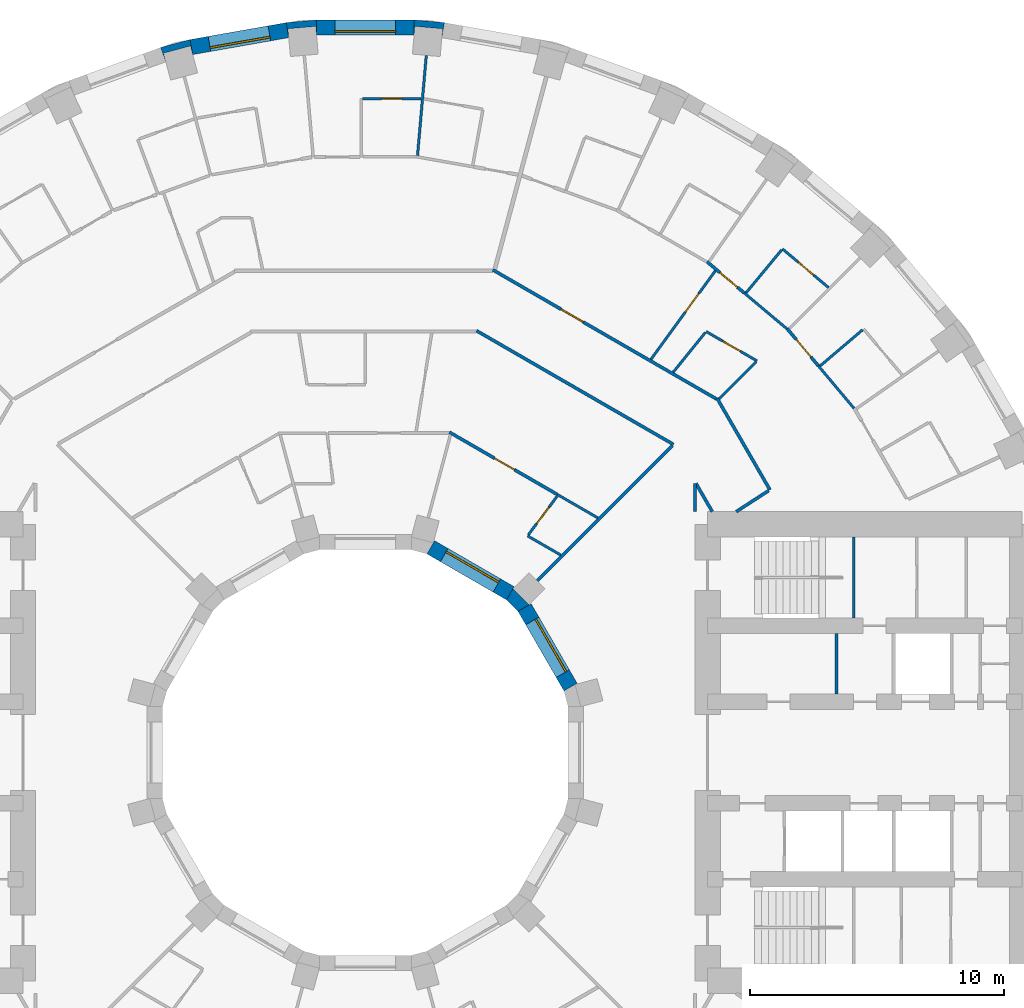
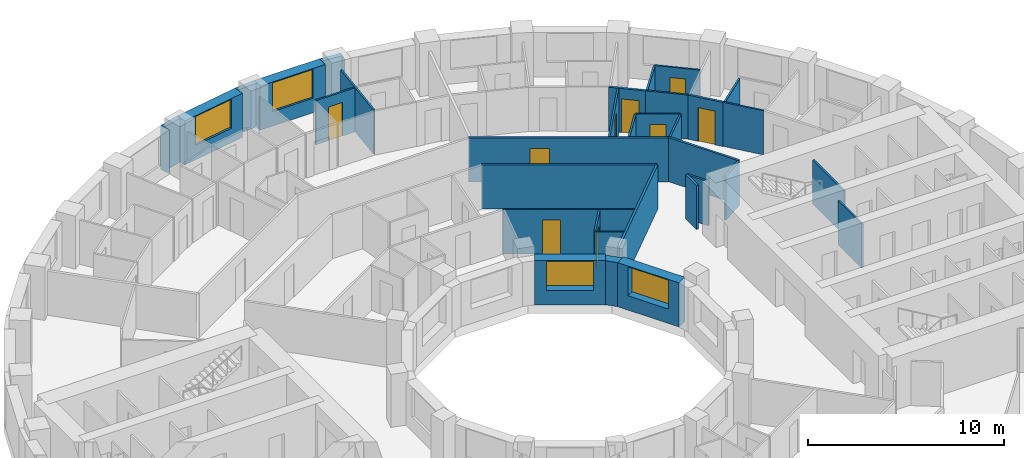
# One storey, part 13 of 16: 34 walls, 9 doors, 4 windows, 13 openings.
"""IFC4 building model written with IfcOpenShell, lengths in metres."""

from ifc_helpers import new_model, si_unit, direction, frame, frame_2d, origin, place, context, subcontext, project, spatial, polyline, rectangle, outline, extrude, material, layer, layer_set, type_object, element, fill, save


model = new_model("IFC4")

# Units and contexts
model_context = context("Model", 3, precision=1e-05, world=origin(), true_north=direction((0.0, 1.0)))
body_context = subcontext(model_context, "Body", "Model", "MODEL_VIEW")
ifc_project = project(units=[si_unit("LENGTHUNIT", "METRE"), si_unit("AREAUNIT", "SQUARE_METRE"), si_unit("VOLUMEUNIT", "CUBIC_METRE"), si_unit("PLANEANGLEUNIT", "RADIAN"), si_unit("MASSUNIT", "GRAM", prefix="KILO")], contexts=[model_context])

# Site, building, storey
site_placement = place(None, origin())
site = spatial("IfcSite", under=ifc_project, at=site_placement, CompositionType="ELEMENT")
building_placement = place(site_placement, origin())
building = spatial("IfcBuilding", under=site, at=building_placement, Name="Saqina Gate Tower", CompositionType="ELEMENT")
storey_placement = place(building_placement, frame((0.0, 0.0, 32.89990234375)))
storey = spatial("IfcBuildingStorey", under=building, at=storey_placement, Name="L08", CompositionType="ELEMENT", Elevation=32.89990234375)

# Walls
ifc_material_1 = material(Name="Brick masonry (red)", Category="masonry")
wall_type_1 = type_object("IfcWallType", Name="BRICK PIER COPING RED", PredefinedType="SOLIDWALL", material=ifc_material_1)
wall_1_placement = place(storey_placement, origin())
element("IfcWall", 1, at=wall_1_placement, inside=storey, type_object=wall_type_1, Name="Pier cap L08 column 9", PredefinedType="SOLIDWALL", context=body_context, shape_type="SweptSolid", body=[
    extrude(outline(polyline([(3.122802734375, 28.78466796875), (1.9228515625, 28.8896484375), (1.9228515625, 28.28955078125), (1.95361328125, 28.638671875), (3.04931640625, 28.54296875), (3.018798828125, 28.19384765625), (3.122802734375, 28.78466796875)])), origin(), (0.0, 0.0, 1.0), 2.75),
])
wall_2_placement = place(storey_placement, origin())
element("IfcWall", 2, at=wall_2_placement, inside=storey, type_object=wall_type_1, Name="Pier cap L08 column 10", PredefinedType="SOLIDWALL", context=body_context, shape_type="SweptSolid", body=[
    extrude(outline(polyline([(-1.9228515625, 28.8896484375), (-3.122802734375, 28.78466796875), (-3.018798828125, 28.19384765625), (-3.04931640625, 28.54296875), (-1.95361328125, 28.638671875), (-1.9228515625, 28.28955078125), (-1.9228515625, 28.8896484375)])), origin(), (0.0, 0.0, 1.0), 2.75),
])
wall_3_placement = place(storey_placement, origin())
element("IfcWall", 3, at=wall_3_placement, inside=storey, type_object=wall_type_1, Name="Pier cap L08 column 11", PredefinedType="SOLIDWALL", context=body_context, shape_type="SweptSolid", body=[
    extrude(outline(polyline([(-6.910400390625, 28.11669921875), (-8.073974609375, 27.80517578125), (-7.86865234375, 27.2412109375), (-7.95947265625, 27.57958984375), (-6.896728515625, 27.864501953125), (-6.80615234375, 27.52587890625), (-6.910400390625, 28.11669921875)])), origin(), (0.0, 0.0, 1.0), 2.75),
])
ifc_material_2 = material(Name="Gypsum board on steel studs", Category="steel")
ifc_layer_1 = layer(ifc_material_2, 0.10009765625)
ifc_layer_set_1 = layer_set([ifc_layer_1], Name="CORE PARTITION")
wall_type_2 = type_object("IfcWallType", Name="CORE PARTITION", PredefinedType="PARTITIONING", material=ifc_layer_set_1)
wall_4_placement = place(storey_placement, frame((18.582763671875, 2.300048828125, 0.0), z_axis=(0.0, 0.0, 1.0), x_axis=(0.0, 1.0, 0.0)))
element("IfcWall", 4, at=wall_4_placement, inside=storey, type_object=wall_type_2, Name="L08-CP-E01", PredefinedType="PARTITIONING", context=body_context, shape_type="SweptSolid", body=[
    extrude(rectangle(XDim=2.39990234375, YDim=0.10009765625, at=frame_2d((1.199951171875, 0.0))), origin(), (0.0, 0.0, 1.0), 2.75),
])

# Wall, opening, window
ifc_material_3 = material(Name="Brick masonry (red)", Category="masonry")
ifc_layer_2 = layer(ifc_material_3, 0.60009765625)
ifc_layer_set_2 = layer_set([ifc_layer_2], Name="FW-BRICK-RED")
wall_type_3 = type_object("IfcWallType", Name="FW-BRICK-RED", PredefinedType="SOLIDWALL", material=ifc_layer_set_2)
wall_5_placement = place(storey_placement, frame((1.9228515625, 28.589599609375, 0.0), z_axis=(0.0, 0.0, 1.0), x_axis=(-1.0, 0.0, 0.0)))
wall_5 = element("IfcWall", 5, at=wall_5_placement, inside=storey, type_object=wall_type_3, Name="Facade wall L08 facet 9", PredefinedType="SOLIDWALL", context=body_context, shape_type="SweptSolid", body=[
    extrude(rectangle(XDim=3.845703125, YDim=0.60009765625, at=frame_2d((1.9228515625, 0.0))), origin(), (0.0, 0.0, 1.0), 2.75),
])
opening_1_placement = place(wall_5_placement, frame((0.722900390625, 0.0, 0.89990234375)))
opening_1 = element("IfcOpeningElement", 6, at=opening_1_placement, cuts=wall_5, Name="Opening G01-W07", PredefinedType="OPENING", context=body_context, shape_type="SweptSolid", body=[
    extrude(rectangle(XDim=2.39990234375, YDim=1.800048828125, at=frame_2d((1.199951171875, 0.89990234375))), frame((0.0, 0.31201171875, 0.0), z_axis=(0.0, -1.0, 0.0), x_axis=(1.0, 0.0, 0.0)), (0.0, 0.0, 1.0), 0.6240234375),
])
ifc_material_4 = material(Name="Aluminium glazing", Category="aluminium")
window_type_1 = type_object("IfcWindowType", Name="WN-A", PartitioningType="SINGLE_PANEL", PredefinedType="WINDOW", material=ifc_material_4)
window_1_placement = place(opening_1_placement, origin())
window_1 = element("IfcWindow", 7, at=window_1_placement, inside=storey, type_object=window_type_1, Name="Window L08 facet 9", OverallHeight=1.800048828125, OverallWidth=2.39990234375, PartitioningType="SINGLE_PANEL", PredefinedType="WINDOW", context=body_context, shape_type="SweptSolid", body=[
    extrude(rectangle(XDim=2.39990234375, YDim=1.800048828125, at=frame_2d((1.199951171875, 0.89990234375))), frame((0.0, 0.179931640625, 0.0), z_axis=(0.0, -1.0, 0.0), x_axis=(1.0, 0.0, 0.0)), (0.0, 0.0, 1.0), 0.06005859375),
])
fill(opening_1, window_1)

wall_6_placement = place(storey_placement, frame((-3.07080078125, 28.4892578125, 0.0), z_axis=(0.0, 0.0, 1.0), x_axis=(-0.984800809218, -0.173687553279, 0.0)))
wall_6 = element("IfcWall", 8, at=wall_6_placement, inside=storey, type_object=wall_type_3, Name="Facade wall L08 facet 10", PredefinedType="SOLIDWALL", context=body_context, shape_type="SweptSolid", body=[
    extrude(rectangle(XDim=3.845703125, YDim=0.60009765625, at=frame_2d((1.9228515625, 0.0))), origin(), (0.0, 0.0, 1.0), 2.75),
])
opening_2_placement = place(wall_6_placement, frame((0.722900390625, 0.0, 0.89990234375)))
opening_2 = element("IfcOpeningElement", 9, at=opening_2_placement, cuts=wall_6, Name="Opening G01-W08", PredefinedType="OPENING", context=body_context, shape_type="SweptSolid", body=[
    extrude(rectangle(XDim=2.39990234375, YDim=1.800048828125, at=frame_2d((1.199951171875, 0.89990234375))), frame((0.0, 0.31201171875, 0.0), z_axis=(0.0, -1.0, 0.0), x_axis=(1.0, 0.0, 0.0)), (0.0, 0.0, 1.0), 0.6240234375),
])
window_2_placement = place(opening_2_placement, origin())
window_2 = element("IfcWindow", 10, at=window_2_placement, inside=storey, type_object=window_type_1, Name="Window L08 facet 10", OverallHeight=1.800048828125, OverallWidth=2.39990234375, PartitioningType="SINGLE_PANEL", PredefinedType="WINDOW", context=body_context, shape_type="SweptSolid", body=[
    extrude(rectangle(XDim=2.39990234375, YDim=1.800048828125, at=frame_2d((1.199951171875, 0.89990234375))), frame((0.0, 0.179931640625, 0.0), z_axis=(0.0, -1.0, 0.0), x_axis=(1.0, 0.0, 0.0)), (0.0, 0.0, 1.0), 0.06005859375),
])
fill(opening_2, window_2)

ifc_material_5 = material(Name="Glazed ceramic tile", Category="ceramic")
ifc_layer_3 = layer(ifc_material_5, 0.60009765625)
ifc_layer_set_3 = layer_set([ifc_layer_3], Name="IW-TILE")
wall_type_4 = type_object("IfcWallType", Name="IW-TILE", PredefinedType="SOLIDWALL", material=ifc_layer_set_3)
wall_7_placement = place(storey_placement, frame((8.09423828125, 2.580322265625, 0.0), z_axis=(0.0, 0.0, 1.0), x_axis=(-0.499992569217, 0.866029693906, 0.0)))
wall_7 = element("IfcWall", 11, at=wall_7_placement, inside=storey, type_object=wall_type_4, Name="Well wall L08 facet 1", PredefinedType="SOLIDWALL", context=body_context, shape_type="SweptSolid", body=[
    extrude(rectangle(XDim=3.625, YDim=0.60009765625, at=frame_2d((1.8125, 0.0))), origin(), (0.0, 0.0, 1.0), 2.75),
])
opening_3_placement = place(wall_7_placement, frame((0.612548828125, 0.0, 0.89990234375)))
opening_3 = element("IfcOpeningElement", 12, at=opening_3_placement, cuts=wall_7, Name="Opening G01-W23", PredefinedType="OPENING", context=body_context, shape_type="SweptSolid", body=[
    extrude(rectangle(XDim=2.39990234375, YDim=1.800048828125, at=frame_2d((1.199951171875, 0.89990234375))), frame((0.0, 0.31201171875, 0.0), z_axis=(0.0, -1.0, 0.0), x_axis=(1.0, 0.0, 0.0)), (0.0, 0.0, 1.0), 0.6240234375),
])
ifc_material_6 = material(Name="Aluminium glazing", Category="aluminium")
window_type_2 = type_object("IfcWindowType", Name="WN-W", PartitioningType="SINGLE_PANEL", PredefinedType="WINDOW", material=ifc_material_6)
window_3_placement = place(opening_3_placement, origin())
window_3 = element("IfcWindow", 13, at=window_3_placement, inside=storey, type_object=window_type_2, Name="Well window L08 facet 1", OverallHeight=1.800048828125, OverallWidth=2.39990234375, PartitioningType="SINGLE_PANEL", PredefinedType="WINDOW", context=body_context, shape_type="SweptSolid", body=[
    extrude(rectangle(XDim=2.39990234375, YDim=1.800048828125, at=frame_2d((1.199951171875, 0.89990234375))), frame((0.0, -0.119873046875, 0.0), z_axis=(0.0, -1.0, 0.0), x_axis=(1.0, 0.0, 0.0)), (0.0, 0.0, 1.0), 0.06005859375),
])
fill(opening_3, window_3)

wall_8_placement = place(storey_placement, frame((5.7197265625, 6.28173828125, 0.0), z_axis=(0.0, 0.0, 1.0), x_axis=(-0.866029693906, 0.499992569217, 0.0)))
wall_8 = element("IfcWall", 14, at=wall_8_placement, inside=storey, type_object=wall_type_4, Name="Well wall L08 facet 2", PredefinedType="SOLIDWALL", context=body_context, shape_type="SweptSolid", body=[
    extrude(rectangle(XDim=3.625, YDim=0.60009765625, at=frame_2d((1.8125, 0.0))), origin(), (0.0, 0.0, 1.0), 2.75),
])
opening_4_placement = place(wall_8_placement, frame((0.612548828125, 0.0, 0.89990234375)))
opening_4 = element("IfcOpeningElement", 15, at=opening_4_placement, cuts=wall_8, Name="Opening G01-W24", PredefinedType="OPENING", context=body_context, shape_type="SweptSolid", body=[
    extrude(rectangle(XDim=2.39990234375, YDim=1.800048828125, at=frame_2d((1.199951171875, 0.89990234375))), frame((0.0, 0.31201171875, 0.0), z_axis=(0.0, -1.0, 0.0), x_axis=(1.0, 0.0, 0.0)), (0.0, 0.0, 1.0), 0.6240234375),
])
window_4_placement = place(opening_4_placement, origin())
window_4 = element("IfcWindow", 16, at=window_4_placement, inside=storey, type_object=window_type_2, Name="Well window L08 facet 2", OverallHeight=1.800048828125, OverallWidth=2.39990234375, PartitioningType="SINGLE_PANEL", PredefinedType="WINDOW", context=body_context, shape_type="SweptSolid", body=[
    extrude(rectangle(XDim=2.39990234375, YDim=1.800048828125, at=frame_2d((1.199951171875, 0.89990234375))), frame((0.0, -0.119873046875, 0.0), z_axis=(0.0, -1.0, 0.0), x_axis=(1.0, 0.0, 0.0)), (0.0, 0.0, 1.0), 0.06005859375),
])
fill(opening_4, window_4)

# Walls
ifc_material_7 = material(Name="Gypsum board on steel studs, 100 mm", Category="steel")
ifc_layer_4 = layer(ifc_material_7, 0.10009765625)
ifc_layer_set_4 = layer_set([ifc_layer_4], Name="PARTITION 100")
wall_type_5 = type_object("IfcWallType", Name="PARTITION 100", PredefinedType="PARTITIONING", material=ifc_layer_set_4)
wall_9_placement = place(storey_placement, frame((17.865478515625, 15.251953125, 0.0), z_axis=(0.0, 0.0, 1.0), x_axis=(0.642711379907, -0.766108401036, 0.0)))
element("IfcWall", 17, at=wall_9_placement, inside=storey, type_object=wall_type_5, Name="PARTITION PW3-29", PredefinedType="PARTITIONING", context=body_context, shape_type="SweptSolid", body=[
    extrude(rectangle(XDim=2.192138671875, YDim=0.10009765625, at=frame_2d((1.09619140625, 0.0))), origin(), (0.0, 0.0, 1.0), 2.75),
])
wall_10_placement = place(storey_placement, frame((14.945556640625, 18.122802734375, 0.0), z_axis=(0.0, 0.0, 1.0), x_axis=(0.765889072534, -0.642972727705, 0.0)))
element("IfcWall", 18, at=wall_10_placement, inside=storey, type_object=wall_type_5, Name="PARTITION PW3-34", PredefinedType="PARTITIONING", context=body_context, shape_type="SweptSolid", body=[
    extrude(rectangle(XDim=2.19287109375, YDim=0.10009765625, at=frame_2d((1.096435546875, 0.0))), origin(), (0.0, 0.0, 1.0), 2.75),
])

# Wall, opening, door
wall_11_placement = place(storey_placement, frame((16.450927734375, 19.862060546875, 0.0), z_axis=(0.0, 0.0, 1.0), x_axis=(0.766132669123, -0.642682451373, 0.0)))
wall_11 = element("IfcWall", 19, at=wall_11_placement, inside=storey, type_object=wall_type_5, Name="PARTITION PW3-35", PredefinedType="PARTITIONING", context=body_context, shape_type="SweptSolid", body=[
    extrude(rectangle(XDim=2.37109375, YDim=0.10009765625, at=frame_2d((1.185546875, 0.0))), origin(), (0.0, 0.0, 1.0), 2.75),
])
opening_5_placement = place(wall_11_placement, frame((0.810546875, 0.0, 0.0)))
opening_5 = element("IfcOpeningElement", 20, at=opening_5_placement, cuts=wall_11, Name="Opening G01-D05", PredefinedType="OPENING", context=body_context, shape_type="SweptSolid", body=[
    extrude(rectangle(XDim=0.800048828125, YDim=2.10009765625, at=frame_2d((0.39990234375, 1.050048828125))), frame((0.0, 0.06201171875, 0.0), z_axis=(0.0, -1.0, 0.0), x_axis=(1.0, 0.0, 0.0)), (0.0, 0.0, 1.0), 0.1240234375),
])
ifc_material_8 = material(Name="Timber door leaf, 800 mm", Category="wood")
door_type_1 = type_object("IfcDoorType", Name="DOOR 800 TIMBER", OperationType="SINGLE_SWING_LEFT", PredefinedType="DOOR", material=ifc_material_8)
door_1_placement = place(opening_5_placement, origin())
door_1 = element("IfcDoor", 21, at=door_1_placement, inside=storey, type_object=door_type_1, Name="DOOR G01-D05", OperationType="SINGLE_SWING_RIGHT", OverallHeight=2.10009765625, OverallWidth=0.800048828125, PredefinedType="DOOR", context=body_context, shape_type="SweptSolid", body=[
    extrude(rectangle(XDim=0.800048828125, YDim=2.10009765625, at=frame_2d((0.39990234375, 1.050048828125))), frame((0.0, 0.02490234375, 0.0), z_axis=(0.0, -1.0, 0.0), x_axis=(1.0, 0.0, 0.0)), (0.0, 0.0, 1.0), 0.050048828125),
])
fill(opening_5, door_1)

# Walls
wall_12_placement = place(storey_placement, frame((6.39697265625, 8.5458984375, 0.0), z_axis=(0.0, 0.0, 1.0), x_axis=(0.866317379693, -0.499493941547, 0.0)))
element("IfcWall", 22, at=wall_12_placement, inside=storey, type_object=wall_type_5, Name="PARTITION PW3-41", PredefinedType="PARTITIONING", context=body_context, shape_type="SweptSolid", body=[
    extrude(rectangle(XDim=1.5107421875, YDim=0.10009765625, at=frame_2d((0.75537109375, 0.0))), origin(), (0.0, 0.0, 1.0), 2.75),
])
wall_13_placement = place(storey_placement, frame((7.560791015625, 10.18408203125, 0.0), z_axis=(0.0, 0.0, 1.0), x_axis=(0.866043361281, -0.499968895414, 0.0)))
element("IfcWall", 23, at=wall_13_placement, inside=storey, type_object=wall_type_5, Name="PARTITION PW3-42", PredefinedType="PARTITIONING", context=body_context, shape_type="SweptSolid", body=[
    extrude(rectangle(XDim=1.85791015625, YDim=0.10009765625, at=frame_2d((0.928955078125, 0.0))), origin(), (0.0, 0.0, 1.0), 2.75),
])

# Wall, opening, door
wall_14_placement = place(storey_placement, frame((13.44091796875, 16.60400390625, 0.0), z_axis=(0.0, 0.0, 1.0), x_axis=(0.865969595378, -0.500096650539, 0.0)))
wall_14 = element("IfcWall", 24, at=wall_14_placement, inside=storey, type_object=wall_type_5, Name="PARTITION PW3-43", PredefinedType="PARTITIONING", context=body_context, shape_type="SweptSolid", body=[
    extrude(rectangle(XDim=2.3154296875, YDim=0.10009765625, at=frame_2d((1.15771484375, 0.0))), origin(), (0.0, 0.0, 1.0), 2.75),
])
opening_6_placement = place(wall_14_placement, frame((0.7578125, 0.0, 0.0)))
opening_6 = element("IfcOpeningElement", 25, at=opening_6_placement, cuts=wall_14, Name="Opening G01-D06", PredefinedType="OPENING", context=body_context, shape_type="SweptSolid", body=[
    extrude(rectangle(XDim=0.800048828125, YDim=2.10009765625, at=frame_2d((0.39990234375, 1.050048828125))), frame((0.0, 0.06201171875, 0.0), z_axis=(0.0, -1.0, 0.0), x_axis=(1.0, 0.0, 0.0)), (0.0, 0.0, 1.0), 0.1240234375),
])
door_2_placement = place(opening_6_placement, origin())
door_2 = element("IfcDoor", 26, at=door_2_placement, inside=storey, type_object=door_type_1, Name="DOOR G01-D06", OperationType="SINGLE_SWING_RIGHT", OverallHeight=2.10009765625, OverallWidth=0.800048828125, PredefinedType="DOOR", context=body_context, shape_type="SweptSolid", body=[
    extrude(rectangle(XDim=0.800048828125, YDim=2.10009765625, at=frame_2d((0.39990234375, 1.050048828125))), frame((0.0, 0.02490234375, 0.0), z_axis=(0.0, -1.0, 0.0), x_axis=(1.0, 0.0, 0.0)), (0.0, 0.0, 1.0), 0.050048828125),
])
fill(opening_6, door_2)

wall_15_placement = place(storey_placement, frame((-0.114990234375, 25.7900390625, 0.0), z_axis=(0.0, 0.0, 1.0), x_axis=(1.0, 0.0, 0.0)))
wall_15 = element("IfcWall", 27, at=wall_15_placement, inside=storey, type_object=wall_type_5, Name="PARTITION PW3-66", PredefinedType="PARTITIONING", context=body_context, shape_type="SweptSolid", body=[
    extrude(rectangle(XDim=2.321044921875, YDim=0.10009765625, at=frame_2d((1.16064453125, 0.0))), origin(), (0.0, 0.0, 1.0), 2.75),
])
opening_7_placement = place(wall_15_placement, frame((0.760498046875, 0.0, 0.0)))
opening_7 = element("IfcOpeningElement", 28, at=opening_7_placement, cuts=wall_15, Name="Opening G01-D20", PredefinedType="OPENING", context=body_context, shape_type="SweptSolid", body=[
    extrude(rectangle(XDim=0.800048828125, YDim=2.10009765625, at=frame_2d((0.39990234375, 1.050048828125))), frame((0.0, 0.06201171875, 0.0), z_axis=(0.0, -1.0, 0.0), x_axis=(1.0, 0.0, 0.0)), (0.0, 0.0, 1.0), 0.1240234375),
])
door_3_placement = place(opening_7_placement, origin())
door_3 = element("IfcDoor", 29, at=door_3_placement, inside=storey, type_object=door_type_1, Name="DOOR G01-D20", OperationType="SINGLE_SWING_LEFT", OverallHeight=2.10009765625, OverallWidth=0.800048828125, PredefinedType="DOOR", context=body_context, shape_type="SweptSolid", body=[
    extrude(rectangle(XDim=0.800048828125, YDim=2.10009765625, at=frame_2d((0.39990234375, 1.050048828125))), frame((0.0, 0.02490234375, 0.0), z_axis=(0.0, -1.0, 0.0), x_axis=(1.0, 0.0, 0.0)), (0.0, 0.0, 1.0), 0.050048828125),
])
fill(opening_7, door_3)

# Walls
wall_16_placement = place(storey_placement, frame((17.93603515625, 15.246337890625, 0.0), z_axis=(0.0, 0.0, 1.0), x_axis=(0.76174213422, 0.647880329192, 0.0)))
element("IfcWall", 30, at=wall_16_placement, inside=storey, type_object=wall_type_5, Name="PARTITION PW3-89", PredefinedType="PARTITIONING", context=body_context, shape_type="SweptSolid", body=[
    extrude(rectangle(XDim=2.199951171875, YDim=0.10009765625, at=frame_2d((1.10009765625, 0.0))), origin(), (0.0, 0.0, 1.0), 2.75),
])
wall_17_placement = place(storey_placement, frame((13.953125, 13.953125, 0.0), z_axis=(0.0, 0.0, 1.0), x_axis=(0.707106781187, 0.707106781187, 0.0)))
element("IfcWall", 31, at=wall_17_placement, inside=storey, type_object=wall_type_5, Name="PARTITION PW3-90", PredefinedType="PARTITIONING", context=body_context, shape_type="SweptSolid", body=[
    extrude(rectangle(XDim=2.061279296875, YDim=0.10009765625, at=frame_2d((1.03076171875, 0.0))), origin(), (0.0, 0.0, 1.0), 2.75),
])
wall_18_placement = place(storey_placement, frame((15.015869140625, 18.12939453125, 0.0), z_axis=(0.0, 0.0, 1.0), x_axis=(0.63792197303, 0.770101003976, 0.0)))
element("IfcWall", 32, at=wall_18_placement, inside=storey, type_object=wall_type_5, Name="PARTITION PW3-94", PredefinedType="PARTITIONING", context=body_context, shape_type="SweptSolid", body=[
    extrude(rectangle(XDim=2.199951171875, YDim=0.10009765625, at=frame_2d((1.10009765625, 0.0))), origin(), (0.0, 0.0, 1.0), 2.75),
])
wall_19_placement = place(storey_placement, frame((12.142578125, 15.0, 0.0), z_axis=(0.0, 0.0, 1.0), x_axis=(0.629135445443, 0.777295691026, 0.0)))
element("IfcWall", 33, at=wall_19_placement, inside=storey, type_object=wall_type_5, Name="PARTITION PW3-95", PredefinedType="PARTITIONING", context=body_context, shape_type="SweptSolid", body=[
    extrude(rectangle(XDim=2.013671875, YDim=0.10009765625, at=frame_2d((1.0068359375, 0.0))), origin(), (0.0, 0.0, 1.0), 2.75),
])

# Wall, opening, door
wall_20_placement = place(storey_placement, frame((6.427001953125, 8.5859375, 0.0), z_axis=(0.0, 0.0, 1.0), x_axis=(0.599137140235, 0.800646418334, 0.0)))
wall_20 = element("IfcWall", 34, at=wall_20_placement, inside=storey, type_object=wall_type_5, Name="PARTITION PW3-97", PredefinedType="PARTITIONING", context=body_context, shape_type="SweptSolid", body=[
    extrude(rectangle(XDim=1.902099609375, YDim=0.10009765625, at=frame_2d((0.951171875, 0.0))), origin(), (0.0, 0.0, 1.0), 2.75),
])
opening_8_placement = place(wall_20_placement, frame((0.557373046875, 0.0, 0.0)))
opening_8 = element("IfcOpeningElement", 35, at=opening_8_placement, cuts=wall_20, Name="Opening G01-D08", PredefinedType="OPENING", context=body_context, shape_type="SweptSolid", body=[
    extrude(rectangle(XDim=0.800048828125, YDim=2.10009765625, at=frame_2d((0.39990234375, 1.050048828125))), frame((0.0, 0.06201171875, 0.0), z_axis=(0.0, -1.0, 0.0), x_axis=(1.0, 0.0, 0.0)), (0.0, 0.0, 1.0), 0.1240234375),
])
door_4_placement = place(opening_8_placement, origin())
door_4 = element("IfcDoor", 36, at=door_4_placement, inside=storey, type_object=door_type_1, Name="DOOR G01-D08", OperationType="SINGLE_SWING_RIGHT", OverallHeight=2.10009765625, OverallWidth=0.800048828125, PredefinedType="DOOR", context=body_context, shape_type="SweptSolid", body=[
    extrude(rectangle(XDim=0.800048828125, YDim=2.10009765625, at=frame_2d((0.39990234375, 1.050048828125))), frame((0.0, 0.02490234375, 0.0), z_axis=(0.0, -1.0, 0.0), x_axis=(1.0, 0.0, 0.0)), (0.0, 0.0, 1.0), 0.050048828125),
])
fill(opening_8, door_4)

wall_21_placement = place(storey_placement, frame((11.265869140625, 15.5068359375, 0.0), z_axis=(0.0, 0.0, 1.0), x_axis=(0.587926223092, 0.808914554326, 0.0)))
wall_21 = element("IfcWall", 37, at=wall_21_placement, inside=storey, type_object=wall_type_5, Name="PARTITION PW3-98", PredefinedType="PARTITIONING", context=body_context, shape_type="SweptSolid", body=[
    extrude(rectangle(XDim=4.3173828125, YDim=0.10009765625, at=frame_2d((2.15869140625, 0.0))), origin(), (0.0, 0.0, 1.0), 2.75),
])
opening_9_placement = place(wall_21_placement, frame((2.30859375, 0.0, 0.0)))
opening_9 = element("IfcOpeningElement", 38, at=opening_9_placement, cuts=wall_21, Name="Opening G01-D09", PredefinedType="OPENING", context=body_context, shape_type="SweptSolid", body=[
    extrude(rectangle(XDim=0.89990234375, YDim=2.10009765625, at=frame_2d((0.449951171875, 1.050048828125))), frame((0.0, 0.06201171875, 0.0), z_axis=(0.0, -1.0, 0.0), x_axis=(1.0, 0.0, 0.0)), (0.0, 0.0, 1.0), 0.1240234375),
])
ifc_material_9 = material(Name="Timber door leaf, 900 mm", Category="wood")
door_type_2 = type_object("IfcDoorType", Name="DOOR 900 TIMBER", OperationType="SINGLE_SWING_LEFT", PredefinedType="DOOR", material=ifc_material_9)
door_5_placement = place(opening_9_placement, frame((0.89990234375, 0.0, 0.0), z_axis=(0.0, 0.0, 1.0), x_axis=(-1.0, 0.0, 0.0)))
door_5 = element("IfcDoor", 39, at=door_5_placement, inside=storey, type_object=door_type_2, Name="DOOR G01-D09", OperationType="SINGLE_SWING_LEFT", OverallHeight=2.10009765625, OverallWidth=0.89990234375, PredefinedType="DOOR", context=body_context, shape_type="SweptSolid", body=[
    extrude(rectangle(XDim=0.89990234375, YDim=2.10009765625, at=frame_2d((0.449951171875, 1.050048828125))), frame((0.0, 0.02490234375, 0.0), z_axis=(0.0, -1.0, 0.0), x_axis=(1.0, 0.0, 0.0)), (0.0, 0.0, 1.0), 0.050048828125),
])
fill(opening_9, door_5)

# Walls
wall_22_placement = place(storey_placement, frame((2.059326171875, 23.539794921875, 0.0), z_axis=(0.0, 0.0, 1.0), x_axis=(0.087044593785, 0.996204416118, 0.0)))
element("IfcWall", 40, at=wall_22_placement, inside=storey, type_object=wall_type_5, Name="PARTITION PW3-118", PredefinedType="PARTITIONING", context=body_context, shape_type="SweptSolid", body=[
    extrude(rectangle(XDim=3.96044921875, YDim=0.10009765625, at=frame_2d((1.980224609375, 0.0))), origin(), (0.0, 0.0, 1.0), 2.75),
])
ifc_material_10 = material(Name="Gypsum board on steel studs, 125 mm, fire rated", Category="steel")
ifc_layer_5 = layer(ifc_material_10, 0.125)
ifc_layer_set_5 = layer_set([ifc_layer_5], Name="PARTITION EI 30 125")
wall_type_6 = type_object("IfcWallType", Name="PARTITION EI 30 125", PredefinedType="PARTITIONING", material=ifc_layer_set_5)
wall_23_placement = place(storey_placement, frame((13.0400390625, 10.61376953125, 0.0), z_axis=(0.0, 0.0, 1.0), x_axis=(0.500018234033, -0.866014876105, 0.0)))
element("IfcWall", 41, at=wall_23_placement, inside=storey, type_object=wall_type_6, Name="PARTITION PW1-04", PredefinedType="PARTITIONING", context=body_context, shape_type="SweptSolid", body=[
    extrude(rectangle(XDim=1.2861328125, YDim=0.125, at=frame_2d((0.64306640625, 0.0))), origin(), (0.0, 0.0, 1.0), 2.75),
])
wall_24_placement = place(storey_placement, frame((13.872802734375, 13.971435546875, 0.0), z_axis=(0.0, 0.0, 1.0), x_axis=(0.500063859158, -0.865988531543, 0.0)))
element("IfcWall", 42, at=wall_24_placement, inside=storey, type_object=wall_type_6, Name="PARTITION PW1-05", PredefinedType="PARTITIONING", context=body_context, shape_type="SweptSolid", body=[
    extrude(rectangle(XDim=4.16796875, YDim=0.125, at=frame_2d((2.083984375, 0.0))), origin(), (0.0, 0.0, 1.0), 2.75),
])

# Wall, opening, door
wall_25_placement = place(storey_placement, frame((16.632080078125, 16.7216796875, 0.0), z_axis=(0.0, 0.0, 1.0), x_axis=(0.64304586183, -0.765827669638, 0.0)))
wall_25 = element("IfcWall", 43, at=wall_25_placement, inside=storey, type_object=wall_type_6, Name="PARTITION PW1-07", PredefinedType="PARTITIONING", context=body_context, shape_type="SweptSolid", body=[
    extrude(rectangle(XDim=1.918701171875, YDim=0.125, at=frame_2d((0.95947265625, 0.0))), origin(), (0.0, 0.0, 1.0), 2.75),
])
opening_10_placement = place(wall_25_placement, frame((0.56591796875, 0.0, 0.0)))
opening_10 = element("IfcOpeningElement", 44, at=opening_10_placement, cuts=wall_25, Name="Opening G01-D04", PredefinedType="OPENING", context=body_context, shape_type="SweptSolid", body=[
    extrude(rectangle(XDim=0.89990234375, YDim=2.10009765625, at=frame_2d((0.449951171875, 1.050048828125))), frame((0.0, 0.074462890625, 0.0), z_axis=(0.0, -1.0, 0.0), x_axis=(1.0, 0.0, 0.0)), (0.0, 0.0, 1.0), 0.14892578125),
])
ifc_material_11 = material(Name="Fire door leaf EI 30, 900 mm")
door_type_3 = type_object("IfcDoorType", Name="DOOR 900 EI 30", OperationType="SINGLE_SWING_LEFT", PredefinedType="DOOR", material=ifc_material_11)
door_6_placement = place(opening_10_placement, frame((0.89990234375, 0.0, 0.0), z_axis=(0.0, 0.0, 1.0), x_axis=(-1.0, 0.0, 0.0)))
door_6 = element("IfcDoor", 45, at=door_6_placement, inside=storey, type_object=door_type_3, Name="DOOR G01-D04", OperationType="SINGLE_SWING_RIGHT", OverallHeight=2.10009765625, OverallWidth=0.89990234375, PredefinedType="DOOR", context=body_context, shape_type="SweptSolid", body=[
    extrude(rectangle(XDim=0.89990234375, YDim=2.10009765625, at=frame_2d((0.449951171875, 1.050048828125))), frame((0.0, 0.02490234375, 0.0), z_axis=(0.0, -1.0, 0.0), x_axis=(1.0, 0.0, 0.0)), (0.0, 0.0, 1.0), 0.050048828125),
])
fill(opening_10, door_6)

wall_26_placement = place(storey_placement, frame((13.476318359375, 19.355712890625, 0.0), z_axis=(0.0, 0.0, 1.0), x_axis=(0.76614099915, -0.642672521135, 0.0)))
wall_26 = element("IfcWall", 46, at=wall_26_placement, inside=storey, type_object=wall_type_6, Name="PARTITION PW1-10", PredefinedType="PARTITIONING", context=body_context, shape_type="SweptSolid", body=[
    extrude(rectangle(XDim=1.91796875, YDim=0.125, at=frame_2d((0.958984375, 0.0))), origin(), (0.0, 0.0, 1.0), 2.75),
])
opening_11_placement = place(wall_26_placement, frame((0.665771484375, 0.0, 0.0)))
opening_11 = element("IfcOpeningElement", 47, at=opening_11_placement, cuts=wall_26, Name="Opening G01-D07", PredefinedType="OPENING", context=body_context, shape_type="SweptSolid", body=[
    extrude(rectangle(XDim=0.89990234375, YDim=2.10009765625, at=frame_2d((0.449951171875, 1.050048828125))), frame((0.0, 0.074462890625, 0.0), z_axis=(0.0, -1.0, 0.0), x_axis=(1.0, 0.0, 0.0)), (0.0, 0.0, 1.0), 0.14892578125),
])
door_7_placement = place(opening_11_placement, frame((0.89990234375, 0.0, 0.0), z_axis=(0.0, 0.0, 1.0), x_axis=(-1.0, 0.0, 0.0)))
door_7 = element("IfcDoor", 48, at=door_7_placement, inside=storey, type_object=door_type_3, Name="DOOR G01-D07", OperationType="SINGLE_SWING_RIGHT", OverallHeight=2.10009765625, OverallWidth=0.89990234375, PredefinedType="DOOR", context=body_context, shape_type="SweptSolid", body=[
    extrude(rectangle(XDim=0.89990234375, YDim=2.10009765625, at=frame_2d((0.449951171875, 1.050048828125))), frame((0.0, 0.02490234375, 0.0), z_axis=(0.0, -1.0, 0.0), x_axis=(1.0, 0.0, 0.0)), (0.0, 0.0, 1.0), 0.050048828125),
])
fill(opening_11, door_7)

wall_27_placement = place(storey_placement, frame((3.3134765625, 12.635986328125, 0.0), z_axis=(0.0, 0.0, 1.0), x_axis=(0.86605046449, -0.499956591072, 0.0)))
wall_27 = element("IfcWall", 49, at=wall_27_placement, inside=storey, type_object=wall_type_6, Name="PARTITION PW1-17", PredefinedType="PARTITIONING", context=body_context, shape_type="SweptSolid", body=[
    extrude(rectangle(XDim=4.904296875, YDim=0.125, at=frame_2d((2.4521484375, 0.0))), origin(), (0.0, 0.0, 1.0), 2.75),
])
opening_12_placement = place(wall_27_placement, frame((2.063232421875, 0.0, 0.0)))
opening_12 = element("IfcOpeningElement", 50, at=opening_12_placement, cuts=wall_27, Name="Opening G01-D12", PredefinedType="OPENING", context=body_context, shape_type="SweptSolid", body=[
    extrude(rectangle(XDim=0.89990234375, YDim=2.10009765625, at=frame_2d((0.449951171875, 1.050048828125))), frame((0.0, 0.074462890625, 0.0), z_axis=(0.0, -1.0, 0.0), x_axis=(1.0, 0.0, 0.0)), (0.0, 0.0, 1.0), 0.14892578125),
])
door_8_placement = place(opening_12_placement, origin())
door_8 = element("IfcDoor", 51, at=door_8_placement, inside=storey, type_object=door_type_3, Name="DOOR G01-D12", OperationType="SINGLE_SWING_RIGHT", OverallHeight=2.10009765625, OverallWidth=0.89990234375, PredefinedType="DOOR", context=body_context, shape_type="SweptSolid", body=[
    extrude(rectangle(XDim=0.89990234375, YDim=2.10009765625, at=frame_2d((0.449951171875, 1.050048828125))), frame((0.0, 0.02490234375, 0.0), z_axis=(0.0, -1.0, 0.0), x_axis=(1.0, 0.0, 0.0)), (0.0, 0.0, 1.0), 0.050048828125),
])
fill(opening_12, door_8)

# Wall
wall_28_placement = place(storey_placement, frame((4.385498046875, 16.635986328125, 0.0), z_axis=(0.0, 0.0, 1.0), x_axis=(0.866033263559, -0.499986386223, 0.0)))
element("IfcWall", 52, at=wall_28_placement, inside=storey, type_object=wall_type_6, Name="PARTITION PW1-18", PredefinedType="PARTITIONING", context=body_context, shape_type="SweptSolid", body=[
    extrude(rectangle(XDim=8.968017578125, YDim=0.125, at=frame_2d((4.48388671875, 0.0))), origin(), (0.0, 0.0, 1.0), 2.75),
])

# Wall, opening, door
wall_29_placement = place(storey_placement, frame((5.028564453125, 19.0361328125, 0.0), z_axis=(0.0, 0.0, 1.0), x_axis=(0.866024825845, -0.50000100102, 0.0)))
wall_29 = element("IfcWall", 53, at=wall_29_placement, inside=storey, type_object=wall_type_6, Name="PARTITION PW1-19", PredefinedType="PARTITIONING", context=body_context, shape_type="SweptSolid", body=[
    extrude(rectangle(XDim=10.19189453125, YDim=0.125, at=frame_2d((5.095947265625, 0.0))), origin(), (0.0, 0.0, 1.0), 2.75),
])
opening_13_placement = place(wall_29_placement, frame((3.115966796875, 0.0, 0.0)))
opening_13 = element("IfcOpeningElement", 54, at=opening_13_placement, cuts=wall_29, Name="Opening G01-D13", PredefinedType="OPENING", context=body_context, shape_type="SweptSolid", body=[
    extrude(rectangle(XDim=1.0, YDim=2.10009765625, at=frame_2d((0.5, 1.050048828125))), frame((0.0, 0.074462890625, 0.0), z_axis=(0.0, -1.0, 0.0), x_axis=(1.0, 0.0, 0.0)), (0.0, 0.0, 1.0), 0.14892578125),
])
ifc_material_12 = material(Name="Fire door leaf EI 30, 1000 mm")
door_type_4 = type_object("IfcDoorType", Name="DOOR 1000 EI 30", OperationType="SINGLE_SWING_LEFT", PredefinedType="DOOR", material=ifc_material_12)
door_9_placement = place(opening_13_placement, origin())
door_9 = element("IfcDoor", 55, at=door_9_placement, inside=storey, type_object=door_type_4, Name="DOOR G01-D13", OperationType="SINGLE_SWING_LEFT", OverallHeight=2.10009765625, OverallWidth=1.0, PredefinedType="DOOR", context=body_context, shape_type="SweptSolid", body=[
    extrude(rectangle(XDim=1.0, YDim=2.10009765625, at=frame_2d((0.5, 1.050048828125))), frame((0.0, 0.02490234375, 0.0), z_axis=(0.0, -1.0, 0.0), x_axis=(1.0, 0.0, 0.0)), (0.0, 0.0, 1.0), 0.050048828125),
])
fill(opening_13, door_9)

# Walls
wall_30_placement = place(storey_placement, frame((14.62890625, 9.5, 0.0), z_axis=(0.0, 0.0, 1.0), x_axis=(0.83882853689, 0.544395706908, 0.0)))
element("IfcWall", 56, at=wall_30_placement, inside=storey, type_object=wall_type_6, Name="PARTITION PW1-45", PredefinedType="PARTITIONING", context=body_context, shape_type="SweptSolid", body=[
    extrude(rectangle(XDim=1.520751953125, YDim=0.125, at=frame_2d((0.76025390625, 0.0))), origin(), (0.0, 0.0, 1.0), 2.75),
])
wall_31_placement = place(storey_placement, frame((6.78271484375, 6.78271484375, 0.0), z_axis=(0.0, 0.0, 1.0), x_axis=(0.707106781187, 0.707106781187, 0.0)))
element("IfcWall", 57, at=wall_31_placement, inside=storey, type_object=wall_type_6, Name="PARTITION PW1-48", PredefinedType="PARTITIONING", context=body_context, shape_type="SweptSolid", body=[
    extrude(rectangle(XDim=7.531005859375, YDim=0.125, at=frame_2d((3.765625, 0.0))), origin(), (0.0, 0.0, 1.0), 2.75),
])
wall_32_placement = place(storey_placement, frame((13.0, 9.5, 0.0), z_axis=(0.0, 0.0, 1.0), x_axis=(0.0, 1.0, 0.0)))
element("IfcWall", 58, at=wall_32_placement, inside=storey, type_object=wall_type_6, Name="PARTITION PW1-54", PredefinedType="PARTITIONING", context=body_context, shape_type="SweptSolid", body=[
    extrude(rectangle(XDim=1.12060546875, YDim=0.125, at=frame_2d((0.560302734375, 0.0))), origin(), (0.0, 0.0, 1.0), 2.75),
])
ifc_material_13 = material(Name="Autoclaved aerated concrete block", Category="concrete")
ifc_layer_6 = layer(ifc_material_13, 0.10009765625)
ifc_layer_set_6 = layer_set([ifc_layer_6], Name="STAIR ENCLOSURE WALL")
wall_type_7 = type_object("IfcWallType", Name="STAIR ENCLOSURE WALL", PredefinedType="PARTITIONING", material=ifc_layer_set_6)
wall_33_placement = place(storey_placement, frame((19.27001953125, 5.300048828125, 0.0), z_axis=(0.0, 0.0, 1.0), x_axis=(0.0, 1.0, 0.0)))
element("IfcWall", 59, at=wall_33_placement, inside=storey, type_object=wall_type_7, Name="L08-CP-E11", PredefinedType="PARTITIONING", context=body_context, shape_type="SweptSolid", body=[
    extrude(rectangle(XDim=3.199951171875, YDim=0.10009765625, at=frame_2d((1.60009765625, 0.0))), origin(), (0.0, 0.0, 1.0), 2.75),
])
ifc_material_14 = material(Name="Glazed ceramic tile", Category="ceramic")
wall_type_8 = type_object("IfcWallType", Name="TILE PIER COPING", PredefinedType="SOLIDWALL", material=ifc_material_14)
wall_34_placement = place(storey_placement, origin())
element("IfcWall", 60, at=wall_34_placement, inside=storey, type_object=wall_type_8, Name="Well pier cap L08 column 2", PredefinedType="SOLIDWALL", context=body_context, shape_type="SweptSolid", body=[
    extrude(outline(polyline([(5.821044921875, 6.45751953125), (5.569580078125, 6.02197265625), (6.02197265625, 5.569580078125), (6.45751953125, 5.821044921875), (5.821044921875, 6.45751953125)])), origin(), (0.0, 0.0, 1.0), 2.75),
])

save(model, "model.ifc")
